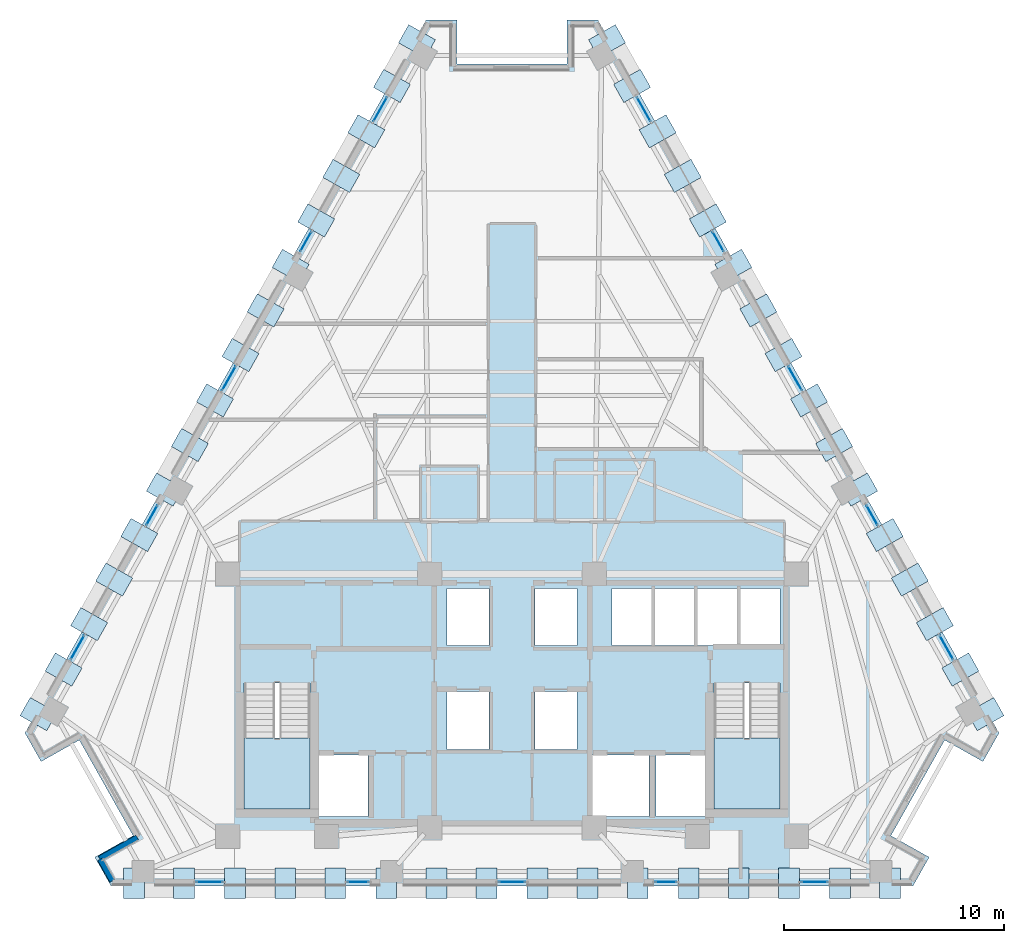
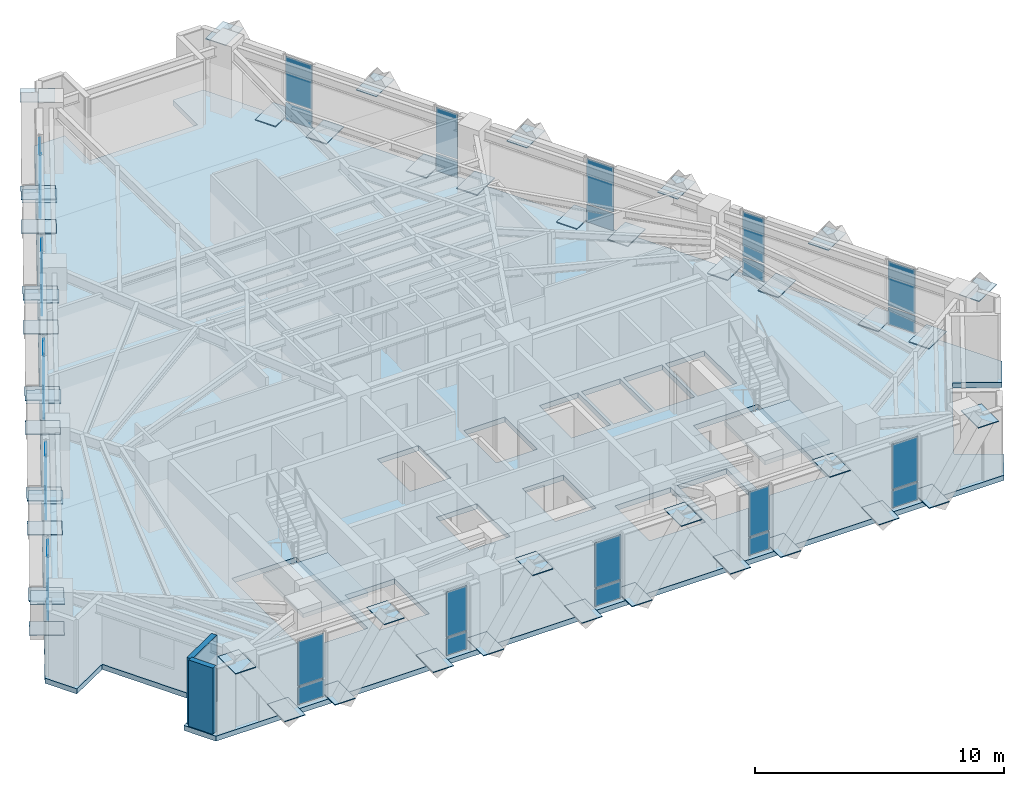
# One storey, part 6 of 13: 78 plates, 3 slabs, 2 walls, 17 elements without a shape of their own.
"""IFC4 building model written with IfcOpenShell, lengths in metres."""

from ifc_helpers import new_model, si_unit, direction, frame, frame_2d, origin, origin_2d, place, context, subcontext, project, spatial, polyline, rectangle, outline, extrude, material, layer, layer_set, type_object, element, aggregate, save


model = new_model("IFC4")

# Units and contexts
model_context = context("Model", 3, precision=1e-05, world=origin(), true_north=direction((0.0, 1.0)))
body_context = subcontext(model_context, "Body", "Model", "MODEL_VIEW")
ifc_project = project(units=[si_unit("LENGTHUNIT", "METRE"), si_unit("AREAUNIT", "SQUARE_METRE"), si_unit("VOLUMEUNIT", "CUBIC_METRE"), si_unit("PLANEANGLEUNIT", "RADIAN"), si_unit("MASSUNIT", "GRAM", prefix="KILO")], contexts=[model_context])

# Site, building, storey
site_placement = place(None, origin())
site = spatial("IfcSite", under=ifc_project, at=site_placement, CompositionType="ELEMENT")
building_placement = place(site_placement, origin())
building = spatial("IfcBuilding", under=site, at=building_placement, Name="Quenlor Broadcast Tower", CompositionType="ELEMENT")
storey_placement = place(building_placement, frame((0.0, 0.0, 137.0)))
storey = spatial("IfcBuildingStorey", under=building, at=storey_placement, Name="L37", CompositionType="ELEMENT", Elevation=137.0)

# Curtain wall, plates
ifc_material_1 = material(Name="Architectural Terracotta and Low-E Glazing", Category="masonry")
curtain_wall_type = type_object("IfcCurtainWallType", Name="Unitised Terracotta Curtain Wall System Z3", PredefinedType="NOTDEFINED", material=ifc_material_1)
curtain_wall_1_placement = place(storey_placement, origin())
curtain_wall_1 = element("IfcCurtainWall", 1, at=curtain_wall_1_placement, inside=storey, type_object=curtain_wall_type, Name="L37 Curtain Wall CW3 (L37-SA-G1)", PredefinedType="NOTDEFINED")
ifc_material_2 = material(Name="Double Glazed Low-E Solar Glass", Category="glass")
ifc_layer_1 = layer(ifc_material_2, 0.028076171875)
ifc_layer_set_1 = layer_set([ifc_layer_1], Name="CW3 Double Glazed Vision Panel 28")
plate_type_1 = type_object("IfcPlateType", Name="CW3 Double Glazed Vision Panel 28", PredefinedType="CURTAIN_PANEL", material=ifc_layer_set_1)
plate_1_placement = place(storey_placement, frame((13.77587890625, -18.824951171875, 0.06982421875), z_axis=(0.0, 0.0, 1.0), x_axis=(-1.0, 0.0, 0.0)))
plate_1 = element("IfcPlate", 2, at=plate_1_placement, type_object=plate_type_1, Name="CW3 panel 1.1", PredefinedType="CURTAIN_PANEL", context=body_context, shape_type="SweptSolid", body=[
    extrude(rectangle(XDim=1.197998046875, YDim=0.028076171875, at=origin_2d()), origin(), (0.0, 0.0, 1.0), 0.844970703125),
])
plate_2_placement = place(storey_placement, frame((13.77587890625, -18.824951171875, 0.98486328125), z_axis=(0.0, 0.0, 1.0), x_axis=(-1.0, 0.0, 0.0)))
plate_2 = element("IfcPlate", 3, at=plate_2_placement, type_object=plate_type_1, Name="CW3 panel 1.2", PredefinedType="CURTAIN_PANEL", context=body_context, shape_type="SweptSolid", body=[
    extrude(rectangle(XDim=1.197998046875, YDim=0.028076171875, at=origin_2d()), origin(), (0.0, 0.0, 1.0), 2.195068359375),
])
aggregate(curtain_wall_1, [plate_1, plate_2])

curtain_wall_2_placement = place(storey_placement, origin())
curtain_wall_2 = element("IfcCurtainWall", 4, at=curtain_wall_2_placement, inside=storey, type_object=curtain_wall_type, Name="L37 Curtain Wall CW3 (L37-SA-G2)", PredefinedType="NOTDEFINED")
plate_3_placement = place(storey_placement, frame((7.011474609375, -18.824951171875, 0.06982421875), z_axis=(0.0, 0.0, 1.0), x_axis=(-1.0, 0.0, 0.0)))
plate_3 = element("IfcPlate", 5, at=plate_3_placement, type_object=plate_type_1, Name="CW3 panel 1.1", PredefinedType="CURTAIN_PANEL", context=body_context, shape_type="SweptSolid", body=[
    extrude(rectangle(XDim=0.950927734375, YDim=0.028076171875, at=origin_2d()), origin(), (0.0, 0.0, 1.0), 0.844970703125),
])
plate_4_placement = place(storey_placement, frame((7.011474609375, -18.824951171875, 0.98486328125), z_axis=(0.0, 0.0, 1.0), x_axis=(-1.0, 0.0, 0.0)))
plate_4 = element("IfcPlate", 6, at=plate_4_placement, type_object=plate_type_1, Name="CW3 panel 1.2", PredefinedType="CURTAIN_PANEL", context=body_context, shape_type="SweptSolid", body=[
    extrude(rectangle(XDim=0.950927734375, YDim=0.028076171875, at=origin_2d()), origin(), (0.0, 0.0, 1.0), 2.195068359375),
])
aggregate(curtain_wall_2, [plate_3, plate_4])

curtain_wall_3_placement = place(storey_placement, origin())
curtain_wall_3 = element("IfcCurtainWall", 7, at=curtain_wall_3_placement, inside=storey, type_object=curtain_wall_type, Name="L37 Curtain Wall CW3 (L37-SC-G1)", PredefinedType="NOTDEFINED")
plate_5_placement = place(storey_placement, frame((-7.011474609375, -18.824951171875, 0.06982421875), z_axis=(0.0, 0.0, 1.0), x_axis=(-1.0, 0.0, 0.0)))
plate_5 = element("IfcPlate", 8, at=plate_5_placement, type_object=plate_type_1, Name="CW3 panel 1.1", PredefinedType="CURTAIN_PANEL", context=body_context, shape_type="SweptSolid", body=[
    extrude(rectangle(XDim=0.950927734375, YDim=0.028076171875, at=origin_2d()), origin(), (0.0, 0.0, 1.0), 0.844970703125),
])
plate_6_placement = place(storey_placement, frame((-7.011474609375, -18.824951171875, 0.98486328125), z_axis=(0.0, 0.0, 1.0), x_axis=(-1.0, 0.0, 0.0)))
plate_6 = element("IfcPlate", 9, at=plate_6_placement, type_object=plate_type_1, Name="CW3 panel 1.2", PredefinedType="CURTAIN_PANEL", context=body_context, shape_type="SweptSolid", body=[
    extrude(rectangle(XDim=0.950927734375, YDim=0.028076171875, at=origin_2d()), origin(), (0.0, 0.0, 1.0), 2.195068359375),
])
aggregate(curtain_wall_3, [plate_5, plate_6])

curtain_wall_4_placement = place(storey_placement, origin())
curtain_wall_4 = element("IfcCurtainWall", 10, at=curtain_wall_4_placement, inside=storey, type_object=curtain_wall_type, Name="L37 Curtain Wall CW3 (L37-SC-G2)", PredefinedType="NOTDEFINED")
plate_7_placement = place(storey_placement, frame((-13.77587890625, -18.824951171875, 0.06982421875), z_axis=(0.0, 0.0, 1.0), x_axis=(-1.0, 0.0, 0.0)))
plate_7 = element("IfcPlate", 11, at=plate_7_placement, type_object=plate_type_1, Name="CW3 panel 1.1", PredefinedType="CURTAIN_PANEL", context=body_context, shape_type="SweptSolid", body=[
    extrude(rectangle(XDim=1.197998046875, YDim=0.028076171875, at=origin_2d()), origin(), (0.0, 0.0, 1.0), 0.844970703125),
])
plate_8_placement = place(storey_placement, frame((-13.77587890625, -18.824951171875, 0.98486328125), z_axis=(0.0, 0.0, 1.0), x_axis=(-1.0, 0.0, 0.0)))
plate_8 = element("IfcPlate", 12, at=plate_8_placement, type_object=plate_type_1, Name="CW3 panel 1.2", PredefinedType="CURTAIN_PANEL", context=body_context, shape_type="SweptSolid", body=[
    extrude(rectangle(XDim=1.197998046875, YDim=0.028076171875, at=origin_2d()), origin(), (0.0, 0.0, 1.0), 2.195068359375),
])
aggregate(curtain_wall_4, [plate_7, plate_8])

curtain_wall_5_placement = place(storey_placement, origin())
curtain_wall_5 = element("IfcCurtainWall", 13, at=curtain_wall_5_placement, inside=storey, type_object=curtain_wall_type, Name="L37 Curtain Wall CW3 (L37-S-G1)", PredefinedType="NOTDEFINED")
plate_9_placement = place(storey_placement, frame((0.0, -18.824951171875, 0.06982421875), z_axis=(0.0, 0.0, 1.0), x_axis=(-1.0, 0.0, 0.0)))
plate_9 = element("IfcPlate", 14, at=plate_9_placement, type_object=plate_type_1, Name="CW3 panel 1.1", PredefinedType="CURTAIN_PANEL", context=body_context, shape_type="SweptSolid", body=[
    extrude(rectangle(XDim=1.197998046875, YDim=0.028076171875, at=origin_2d()), origin(), (0.0, 0.0, 1.0), 0.844970703125),
])
plate_10_placement = place(storey_placement, frame((0.0, -18.824951171875, 0.98486328125), z_axis=(0.0, 0.0, 1.0), x_axis=(-1.0, 0.0, 0.0)))
plate_10 = element("IfcPlate", 15, at=plate_10_placement, type_object=plate_type_1, Name="CW3 panel 1.2", PredefinedType="CURTAIN_PANEL", context=body_context, shape_type="SweptSolid", body=[
    extrude(rectangle(XDim=1.197998046875, YDim=0.028076171875, at=origin_2d()), origin(), (0.0, 0.0, 1.0), 2.195068359375),
])
aggregate(curtain_wall_5, [plate_9, plate_10])

curtain_wall_6_placement = place(storey_placement, origin())
curtain_wall_6 = element("IfcCurtainWall", 16, at=curtain_wall_6_placement, inside=storey, type_object=curtain_wall_type, Name="L37 Curtain Wall CW3 (L37-NEA-G1)", PredefinedType="NOTDEFINED")
plate_11_placement = place(storey_placement, frame((6.00146484375, 16.3740234375, 0.06982421875), z_axis=(0.0, 0.0, 1.0), x_axis=(0.490230492916, -0.871592831439, 0.0)))
plate_11 = element("IfcPlate", 17, at=plate_11_placement, type_object=plate_type_1, Name="CW3 panel 1.1", PredefinedType="CURTAIN_PANEL", context=body_context, shape_type="SweptSolid", body=[
    extrude(rectangle(XDim=1.249755859375, YDim=0.028076171875, at=origin_2d()), origin(), (0.0, 0.0, 1.0), 0.844970703125),
])
plate_12_placement = place(storey_placement, frame((6.00146484375, 16.3740234375, 0.98486328125), z_axis=(0.0, 0.0, 1.0), x_axis=(0.490230492916, -0.871592831439, 0.0)))
plate_12 = element("IfcPlate", 18, at=plate_12_placement, type_object=plate_type_1, Name="CW3 panel 1.2", PredefinedType="CURTAIN_PANEL", context=body_context, shape_type="SweptSolid", body=[
    extrude(rectangle(XDim=1.249755859375, YDim=0.028076171875, at=origin_2d()), origin(), (0.0, 0.0, 1.0), 2.195068359375),
])
aggregate(curtain_wall_6, [plate_11, plate_12])

curtain_wall_7_placement = place(storey_placement, origin())
curtain_wall_7 = element("IfcCurtainWall", 19, at=curtain_wall_7_placement, inside=storey, type_object=curtain_wall_type, Name="L37 Curtain Wall CW3 (L37-NEA-G2)", PredefinedType="NOTDEFINED")
plate_13_placement = place(storey_placement, frame((9.391357421875, 10.34716796875, 0.06982421875), z_axis=(0.0, 0.0, 1.0), x_axis=(0.490215950125, -0.871601010924, 0.0)))
plate_13 = element("IfcPlate", 20, at=plate_13_placement, type_object=plate_type_1, Name="CW3 panel 1.1", PredefinedType="CURTAIN_PANEL", context=body_context, shape_type="SweptSolid", body=[
    extrude(rectangle(XDim=1.01318359375, YDim=0.028076171875, at=origin_2d()), origin(), (0.0, 0.0, 1.0), 0.844970703125),
])
plate_14_placement = place(storey_placement, frame((9.391357421875, 10.34716796875, 0.98486328125), z_axis=(0.0, 0.0, 1.0), x_axis=(0.490215950125, -0.871601010924, 0.0)))
plate_14 = element("IfcPlate", 21, at=plate_14_placement, type_object=plate_type_1, Name="CW3 panel 1.2", PredefinedType="CURTAIN_PANEL", context=body_context, shape_type="SweptSolid", body=[
    extrude(rectangle(XDim=1.01318359375, YDim=0.028076171875, at=origin_2d()), origin(), (0.0, 0.0, 1.0), 2.195068359375),
])
aggregate(curtain_wall_7, [plate_13, plate_14])

curtain_wall_8_placement = place(storey_placement, origin())
curtain_wall_8 = element("IfcCurtainWall", 22, at=curtain_wall_8_placement, inside=storey, type_object=curtain_wall_type, Name="L37 Curtain Wall CW3 (L37-NEC-G1)", PredefinedType="NOTDEFINED")
plate_15_placement = place(storey_placement, frame((16.403564453125, -2.118896484375, 0.06982421875), z_axis=(0.0, 0.0, 1.0), x_axis=(0.490253004657, -0.871580169247, 0.0)))
plate_15 = element("IfcPlate", 23, at=plate_15_placement, type_object=plate_type_1, Name="CW3 panel 1.1", PredefinedType="CURTAIN_PANEL", context=body_context, shape_type="SweptSolid", body=[
    extrude(rectangle(XDim=1.01318359375, YDim=0.028076171875, at=origin_2d()), origin(), (0.0, 0.0, 1.0), 0.844970703125),
])
plate_16_placement = place(storey_placement, frame((16.403564453125, -2.118896484375, 0.98486328125), z_axis=(0.0, 0.0, 1.0), x_axis=(0.490253004657, -0.871580169247, 0.0)))
plate_16 = element("IfcPlate", 24, at=plate_16_placement, type_object=plate_type_1, Name="CW3 panel 1.2", PredefinedType="CURTAIN_PANEL", context=body_context, shape_type="SweptSolid", body=[
    extrude(rectangle(XDim=1.01318359375, YDim=0.028076171875, at=origin_2d()), origin(), (0.0, 0.0, 1.0), 2.195068359375),
])
aggregate(curtain_wall_8, [plate_15, plate_16])

curtain_wall_9_placement = place(storey_placement, origin())
curtain_wall_9 = element("IfcCurtainWall", 25, at=curtain_wall_9_placement, inside=storey, type_object=curtain_wall_type, Name="L37 Curtain Wall CW3 (L37-NEC-G2)", PredefinedType="NOTDEFINED")
plate_17_placement = place(storey_placement, frame((19.793701171875, -8.145751953125, 0.06982421875), z_axis=(0.0, 0.0, 1.0), x_axis=(0.490261239636, -0.871575537123, 0.0)))
plate_17 = element("IfcPlate", 26, at=plate_17_placement, type_object=plate_type_1, Name="CW3 panel 1.1", PredefinedType="CURTAIN_PANEL", context=body_context, shape_type="SweptSolid", body=[
    extrude(rectangle(XDim=1.249755859375, YDim=0.028076171875, at=origin_2d()), origin(), (0.0, 0.0, 1.0), 0.844970703125),
])
plate_18_placement = place(storey_placement, frame((19.793701171875, -8.145751953125, 0.98486328125), z_axis=(0.0, 0.0, 1.0), x_axis=(0.490261239636, -0.871575537123, 0.0)))
plate_18 = element("IfcPlate", 27, at=plate_18_placement, type_object=plate_type_1, Name="CW3 panel 1.2", PredefinedType="CURTAIN_PANEL", context=body_context, shape_type="SweptSolid", body=[
    extrude(rectangle(XDim=1.249755859375, YDim=0.028076171875, at=origin_2d()), origin(), (0.0, 0.0, 1.0), 2.195068359375),
])
aggregate(curtain_wall_9, [plate_17, plate_18])

curtain_wall_10_placement = place(storey_placement, origin())
curtain_wall_10 = element("IfcCurtainWall", 28, at=curtain_wall_10_placement, inside=storey, type_object=curtain_wall_type, Name="L37 Curtain Wall CW3 (L37-NE-G1)", PredefinedType="NOTDEFINED")
plate_19_placement = place(storey_placement, frame((12.8974609375, 4.1142578125, 0.06982421875), z_axis=(0.0, 0.0, 1.0), x_axis=(0.490285152484, -0.871562085714, 0.0)))
plate_19 = element("IfcPlate", 29, at=plate_19_placement, type_object=plate_type_1, Name="CW3 panel 1.1", PredefinedType="CURTAIN_PANEL", context=body_context, shape_type="SweptSolid", body=[
    extrude(rectangle(XDim=1.249755859375, YDim=0.028076171875, at=origin_2d()), origin(), (0.0, 0.0, 1.0), 0.844970703125),
])
plate_20_placement = place(storey_placement, frame((12.8974609375, 4.1142578125, 0.98486328125), z_axis=(0.0, 0.0, 1.0), x_axis=(0.490285152484, -0.871562085714, 0.0)))
plate_20 = element("IfcPlate", 30, at=plate_20_placement, type_object=plate_type_1, Name="CW3 panel 1.2", PredefinedType="CURTAIN_PANEL", context=body_context, shape_type="SweptSolid", body=[
    extrude(rectangle(XDim=1.249755859375, YDim=0.028076171875, at=origin_2d()), origin(), (0.0, 0.0, 1.0), 2.195068359375),
])
aggregate(curtain_wall_10, [plate_19, plate_20])

curtain_wall_11_placement = place(storey_placement, origin())
curtain_wall_11 = element("IfcCurtainWall", 31, at=curtain_wall_11_placement, inside=storey, type_object=curtain_wall_type, Name="L37 Curtain Wall CW3 (L37-NWA-G1)", PredefinedType="NOTDEFINED")
plate_21_placement = place(storey_placement, frame((-19.793701171875, -8.145751953125, 0.06982421875), z_axis=(0.0, 0.0, 1.0), x_axis=(0.490261239636, 0.871575537123, 0.0)))
plate_21 = element("IfcPlate", 32, at=plate_21_placement, type_object=plate_type_1, Name="CW3 panel 1.1", PredefinedType="CURTAIN_PANEL", context=body_context, shape_type="SweptSolid", body=[
    extrude(rectangle(XDim=1.249755859375, YDim=0.028076171875, at=origin_2d()), origin(), (0.0, 0.0, 1.0), 0.844970703125),
])
plate_22_placement = place(storey_placement, frame((-19.793701171875, -8.145751953125, 0.98486328125), z_axis=(0.0, 0.0, 1.0), x_axis=(0.490261239636, 0.871575537123, 0.0)))
plate_22 = element("IfcPlate", 33, at=plate_22_placement, type_object=plate_type_1, Name="CW3 panel 1.2", PredefinedType="CURTAIN_PANEL", context=body_context, shape_type="SweptSolid", body=[
    extrude(rectangle(XDim=1.249755859375, YDim=0.028076171875, at=origin_2d()), origin(), (0.0, 0.0, 1.0), 2.195068359375),
])
aggregate(curtain_wall_11, [plate_21, plate_22])

curtain_wall_12_placement = place(storey_placement, origin())
curtain_wall_12 = element("IfcCurtainWall", 34, at=curtain_wall_12_placement, inside=storey, type_object=curtain_wall_type, Name="L37 Curtain Wall CW3 (L37-NWA-G2)", PredefinedType="NOTDEFINED")
plate_23_placement = place(storey_placement, frame((-16.403564453125, -2.118896484375, 0.06982421875), z_axis=(0.0, 0.0, 1.0), x_axis=(0.490253004657, 0.871580169247, 0.0)))
plate_23 = element("IfcPlate", 35, at=plate_23_placement, type_object=plate_type_1, Name="CW3 panel 1.1", PredefinedType="CURTAIN_PANEL", context=body_context, shape_type="SweptSolid", body=[
    extrude(rectangle(XDim=1.01318359375, YDim=0.028076171875, at=origin_2d()), origin(), (0.0, 0.0, 1.0), 0.844970703125),
])
plate_24_placement = place(storey_placement, frame((-16.403564453125, -2.118896484375, 0.98486328125), z_axis=(0.0, 0.0, 1.0), x_axis=(0.490253004657, 0.871580169247, 0.0)))
plate_24 = element("IfcPlate", 36, at=plate_24_placement, type_object=plate_type_1, Name="CW3 panel 1.2", PredefinedType="CURTAIN_PANEL", context=body_context, shape_type="SweptSolid", body=[
    extrude(rectangle(XDim=1.01318359375, YDim=0.028076171875, at=origin_2d()), origin(), (0.0, 0.0, 1.0), 2.195068359375),
])
aggregate(curtain_wall_12, [plate_23, plate_24])

curtain_wall_13_placement = place(storey_placement, origin())
curtain_wall_13 = element("IfcCurtainWall", 37, at=curtain_wall_13_placement, inside=storey, type_object=curtain_wall_type, Name="L37 Curtain Wall CW3 (L37-NWC-G1)", PredefinedType="NOTDEFINED")
plate_25_placement = place(storey_placement, frame((-9.391357421875, 10.34716796875, 0.06982421875), z_axis=(0.0, 0.0, 1.0), x_axis=(0.490215950125, 0.871601010924, 0.0)))
plate_25 = element("IfcPlate", 38, at=plate_25_placement, type_object=plate_type_1, Name="CW3 panel 1.1", PredefinedType="CURTAIN_PANEL", context=body_context, shape_type="SweptSolid", body=[
    extrude(rectangle(XDim=1.01318359375, YDim=0.028076171875, at=origin_2d()), origin(), (0.0, 0.0, 1.0), 0.844970703125),
])
plate_26_placement = place(storey_placement, frame((-9.391357421875, 10.34716796875, 0.98486328125), z_axis=(0.0, 0.0, 1.0), x_axis=(0.490215950125, 0.871601010924, 0.0)))
plate_26 = element("IfcPlate", 39, at=plate_26_placement, type_object=plate_type_1, Name="CW3 panel 1.2", PredefinedType="CURTAIN_PANEL", context=body_context, shape_type="SweptSolid", body=[
    extrude(rectangle(XDim=1.01318359375, YDim=0.028076171875, at=origin_2d()), origin(), (0.0, 0.0, 1.0), 2.195068359375),
])
aggregate(curtain_wall_13, [plate_25, plate_26])

curtain_wall_14_placement = place(storey_placement, origin())
curtain_wall_14 = element("IfcCurtainWall", 40, at=curtain_wall_14_placement, inside=storey, type_object=curtain_wall_type, Name="L37 Curtain Wall CW3 (L37-NWC-G2)", PredefinedType="NOTDEFINED")
plate_27_placement = place(storey_placement, frame((-6.00146484375, 16.3740234375, 0.06982421875), z_axis=(0.0, 0.0, 1.0), x_axis=(0.490230492916, 0.871592831439, 0.0)))
plate_27 = element("IfcPlate", 41, at=plate_27_placement, type_object=plate_type_1, Name="CW3 panel 1.1", PredefinedType="CURTAIN_PANEL", context=body_context, shape_type="SweptSolid", body=[
    extrude(rectangle(XDim=1.249755859375, YDim=0.028076171875, at=origin_2d()), origin(), (0.0, 0.0, 1.0), 0.844970703125),
])
plate_28_placement = place(storey_placement, frame((-6.00146484375, 16.3740234375, 0.98486328125), z_axis=(0.0, 0.0, 1.0), x_axis=(0.490230492916, 0.871592831439, 0.0)))
plate_28 = element("IfcPlate", 42, at=plate_28_placement, type_object=plate_type_1, Name="CW3 panel 1.2", PredefinedType="CURTAIN_PANEL", context=body_context, shape_type="SweptSolid", body=[
    extrude(rectangle(XDim=1.249755859375, YDim=0.028076171875, at=origin_2d()), origin(), (0.0, 0.0, 1.0), 2.195068359375),
])
aggregate(curtain_wall_14, [plate_27, plate_28])

curtain_wall_15_placement = place(storey_placement, origin())
curtain_wall_15 = element("IfcCurtainWall", 43, at=curtain_wall_15_placement, inside=storey, type_object=curtain_wall_type, Name="L37 Curtain Wall CW3 (L37-NW-G1)", PredefinedType="NOTDEFINED")
plate_29_placement = place(storey_placement, frame((-12.8974609375, 4.1142578125, 0.06982421875), z_axis=(0.0, 0.0, 1.0), x_axis=(0.490285152484, 0.871562085714, 0.0)))
plate_29 = element("IfcPlate", 44, at=plate_29_placement, type_object=plate_type_1, Name="CW3 panel 1.1", PredefinedType="CURTAIN_PANEL", context=body_context, shape_type="SweptSolid", body=[
    extrude(rectangle(XDim=1.249755859375, YDim=0.028076171875, at=origin_2d()), origin(), (0.0, 0.0, 1.0), 0.844970703125),
])
plate_30_placement = place(storey_placement, frame((-12.8974609375, 4.1142578125, 0.98486328125), z_axis=(0.0, 0.0, 1.0), x_axis=(0.490285152484, 0.871562085714, 0.0)))
plate_30 = element("IfcPlate", 45, at=plate_30_placement, type_object=plate_type_1, Name="CW3 panel 1.2", PredefinedType="CURTAIN_PANEL", context=body_context, shape_type="SweptSolid", body=[
    extrude(rectangle(XDim=1.249755859375, YDim=0.028076171875, at=origin_2d()), origin(), (0.0, 0.0, 1.0), 2.195068359375),
])
aggregate(curtain_wall_15, [plate_29, plate_30])

# Stair, slab
ifc_material_3 = material(Name="Precast concrete C40/50", Category="concrete")
stair_type = type_object("IfcStairType", Name="Precast Concrete C40/50 Dogleg Stair H350", PredefinedType="HALF_TURN_STAIR", material=ifc_material_3)
stair_1_placement = place(storey_placement, origin())
stair_1 = element("IfcStair", 46, at=stair_1_placement, inside=storey, type_object=stair_type, Name="L37 West Core Fire-Isolated Exit Stair ST-1", PredefinedType="HALF_TURN_STAIR")
ifc_material_4 = material(Name="Precast concrete C40/50", Category="concrete")
ifc_layer_2 = layer(ifc_material_4, 0.199951171875)
ifc_layer_set_2 = layer_set([ifc_layer_2], Name="Precast Concrete C40/50 Stair Landing Slab 200")
slab_type_1 = type_object("IfcSlabType", Name="Precast Concrete C40/50 Stair Landing Slab 200", PredefinedType="LANDING", material=ifc_layer_set_2)
slab_1_placement = place(storey_placement, frame((0.0, 0.0, 1.550048828125)))
slab_1 = element("IfcSlab", 47, at=slab_1_placement, type_object=slab_type_1, Name="ST-1 landing 1", PredefinedType="LANDING", context=body_context, shape_type="SweptSolid", body=[
    extrude(outline(polyline([(-12.199951171875, -12.27001953125), (-12.199951171875, -15.5), (-9.199951171875, -15.5), (-9.199951171875, -12.27001953125), (-12.199951171875, -12.27001953125)])), origin(), (0.0, 0.0, 1.0), 0.199951171875),
])
aggregate(stair_1, [slab_1])

stair_2_placement = place(storey_placement, origin())
stair_2 = element("IfcStair", 48, at=stair_2_placement, inside=storey, type_object=stair_type, Name="L37 East Core Fire-Isolated Exit Stair ST-2", PredefinedType="HALF_TURN_STAIR")
slab_2_placement = place(storey_placement, frame((0.0, 0.0, 1.550048828125)))
slab_2 = element("IfcSlab", 49, at=slab_2_placement, type_object=slab_type_1, Name="ST-2 landing 1", PredefinedType="LANDING", context=body_context, shape_type="SweptSolid", body=[
    extrude(outline(polyline([(9.199951171875, -12.27001953125), (9.199951171875, -15.5), (12.199951171875, -15.5), (12.199951171875, -12.27001953125), (9.199951171875, -12.27001953125)])), origin(), (0.0, 0.0, 1.0), 0.199951171875),
])
aggregate(stair_2, [slab_2])

# Slab
ifc_material_5 = material(Name="Concrete C40/50", Category="concrete")
ifc_layer_3 = layer(ifc_material_5, 0.25)
ifc_layer_set_3 = layer_set([ifc_layer_3], Name="Tower Composite Concrete C40/50 Slab 250")
slab_type_2 = type_object("IfcSlabType", Name="Tower Composite Concrete C40/50 Slab 250", PredefinedType="FLOOR", material=ifc_layer_set_3)
slab_3_placement = place(storey_placement, frame((0.0, 0.0, -0.25)))
element("IfcSlab", 50, at=slab_3_placement, inside=storey, type_object=slab_type_2, Name="L37 Structural Floor Slab", PredefinedType="FLOOR", context=body_context, shape_type="SweptSolid", body=[
    extrude(outline(polyline([(18.27001953125, -19.0), (19.001708984375, -17.698974609375), (17.2587890625, -16.718505859375), (19.7099609375, -12.360595703125), (21.453125, -13.341064453125), (22.18505859375, -12.0400390625), (3.9150390625, 20.43994140625), (2.5, 20.43994140625), (2.5, 18.43994140625), (-2.5, 18.43994140625), (-2.5, 20.43994140625), (-3.9150390625, 20.43994140625), (-22.18505859375, -12.0400390625), (-21.453125, -13.341064453125), (-19.7099609375, -12.360595703125), (-17.2587890625, -16.718505859375), (-19.001708984375, -17.698974609375), (-18.27001953125, -19.0), (18.27001953125, -19.0)]), holes=[polyline([(-12.199951171875, -9.758056640625), (-12.199951171875, -15.5), (-9.199951171875, -15.5), (-9.199951171875, -9.758056640625), (-12.199951171875, -9.758056640625)]), polyline([(9.199951171875, -9.758056640625), (9.199951171875, -15.5), (12.199951171875, -15.5), (12.199951171875, -9.758056640625), (9.199951171875, -9.758056640625)]), polyline([(-2.949951171875, -8.050048828125), (-1.050048828125, -8.050048828125), (-1.050048828125, -5.449951171875), (-2.949951171875, -5.449951171875), (-2.949951171875, -8.050048828125)]), polyline([(1.050048828125, -8.050048828125), (2.949951171875, -8.050048828125), (2.949951171875, -5.449951171875), (1.050048828125, -5.449951171875), (1.050048828125, -8.050048828125)]), polyline([(-2.949951171875, -12.800048828125), (-1.050048828125, -12.800048828125), (-1.050048828125, -10.14990234375), (-2.949951171875, -10.14990234375), (-2.949951171875, -12.800048828125)]), polyline([(1.050048828125, -12.800048828125), (2.949951171875, -12.800048828125), (2.949951171875, -10.14990234375), (1.050048828125, -10.14990234375), (1.050048828125, -12.800048828125)]), polyline([(4.550048828125, -8.050048828125), (6.35009765625, -8.050048828125), (6.35009765625, -5.449951171875), (4.550048828125, -5.449951171875), (4.550048828125, -8.050048828125)]), polyline([(6.5, -8.050048828125), (8.300048828125, -8.050048828125), (8.300048828125, -5.449951171875), (6.5, -5.449951171875), (6.5, -8.050048828125)]), polyline([(8.449951171875, -8.050048828125), (10.25, -8.050048828125), (10.25, -5.449951171875), (8.449951171875, -5.449951171875), (8.449951171875, -8.050048828125)]), polyline([(10.39990234375, -8.050048828125), (12.199951171875, -8.050048828125), (12.199951171875, -5.449951171875), (10.39990234375, -5.449951171875), (10.39990234375, -8.050048828125)]), polyline([(-8.85009765625, -15.85009765625), (-6.550048828125, -15.85009765625), (-6.550048828125, -13.050048828125), (-8.85009765625, -13.050048828125), (-8.85009765625, -15.85009765625)]), polyline([(6.550048828125, -15.85009765625), (8.85009765625, -15.85009765625), (8.85009765625, -13.050048828125), (6.550048828125, -13.050048828125), (6.550048828125, -15.85009765625)]), polyline([(3.64990234375, -15.85009765625), (6.25, -15.85009765625), (6.25, -13.050048828125), (3.64990234375, -13.050048828125), (3.64990234375, -15.85009765625)])]), origin(), (0.0, 0.0, 1.0), 0.25),
])

# Plates
ifc_material_6 = material(Name="Steel S355", Category="steel")
ifc_layer_4 = layer(ifc_material_6, 0.035888671875)
ifc_layer_set_4 = layer_set([ifc_layer_4], Name="Transfer Truss Steel S355 Gusset Node Plate 1400x950x36")
plate_type_2 = type_object("IfcPlateType", Name="Transfer Truss Steel S355 Gusset Node Plate 1400x950x36", PredefinedType="SHEET", material=ifc_layer_set_4)
for number, where, z_axis, x_axis, name in (
    (51, (12.6142578125, -18.885009765625, 0.0419921875), (0.0, 0.0, 1.0), (0.0, -1.0, 0.0), "L37 Lattice Tie Gusset Node S-B2"),
    (52, (10.33203125, -18.885009765625, 3.18212890625), (0.0, 0.0, 1.0), (0.0, -1.0, 0.0), "L37 Lattice Tie Gusset Node S-T3"),
    (53, (14.937744140625, -18.885009765625, 0.0419921875), (0.0, 0.0, 1.0), (0.0, -1.0, 0.0), "L37 Lattice Tie Gusset Node S-B1"),
    (54, (17.219970703125, -18.885009765625, 3.18212890625), (0.0, 0.0, 1.0), (0.0, -1.0, 0.0), "L37 Lattice Tie Gusset Node S-T0"),
    (55, (5.726318359375, -18.885009765625, 0.0419921875), (0.0, 0.0, 1.0), (0.0, -1.0, 0.0), "L37 Lattice Tie Gusset Node S-B5"),
    (56, (3.444091796875, -18.885009765625, 3.18212890625), (0.0, 0.0, 1.0), (0.0, -1.0, 0.0), "L37 Lattice Tie Gusset Node S-T6"),
    (57, (8.0498046875, -18.885009765625, 0.0419921875), (0.0, 0.0, 1.0), (0.0, -1.0, 0.0), "L37 Lattice Tie Gusset Node S-B4"),
    (58, (-1.161865234375, -18.885009765625, 0.0419921875), (0.0, 0.0, 1.0), (0.0, -1.0, 0.0), "L37 Lattice Tie Gusset Node S-B8"),
    (59, (-3.444091796875, -18.885009765625, 3.18212890625), (0.0, 0.0, 1.0), (0.0, -1.0, 0.0), "L37 Lattice Tie Gusset Node S-T9"),
    (60, (1.161865234375, -18.885009765625, 0.0419921875), (0.0, 0.0, 1.0), (0.0, -1.0, 0.0), "L37 Lattice Tie Gusset Node S-B7"),
    (61, (-8.0498046875, -18.885009765625, 0.0419921875), (0.0, 0.0, 1.0), (0.0, -1.0, 0.0), "L37 Lattice Tie Gusset Node S-B11"),
    (62, (-10.33203125, -18.885009765625, 3.18212890625), (0.0, 0.0, 1.0), (0.0, -1.0, 0.0), "L37 Lattice Tie Gusset Node S-T12"),
    (63, (-5.726318359375, -18.885009765625, 0.0419921875), (0.0, 0.0, 1.0), (0.0, -1.0, 0.0), "L37 Lattice Tie Gusset Node S-B10"),
    (64, (-14.937744140625, -18.885009765625, 0.0419921875), (0.0, 0.0, 1.0), (0.0, -1.0, 0.0), "L37 Lattice Tie Gusset Node S-B14"),
    (65, (-17.219970703125, -18.885009765625, 3.18212890625), (0.0, 0.0, 1.0), (0.0, -1.0, 0.0), "L37 Lattice Tie Gusset Node S-T15"),
    (66, (-12.6142578125, -18.885009765625, 0.0419921875), (0.0, 0.0, 1.0), (0.0, -1.0, 0.0), "L37 Lattice Tie Gusset Node S-B13"),
    (67, (6.63525390625, 15.36962890625, 0.0419921875), (0.0, 0.0, 1.0), (0.871556314255, 0.490295412055, 0.0), "L37 Lattice Tie Gusset Node NE-B2"),
    (68, (7.777587890625, 13.33837890625, 3.18212890625), (0.0, 0.0, 1.0), (0.871556314255, 0.490295412055, 0.0), "L37 Lattice Tie Gusset Node NE-T3"),
    (69, (5.471923828125, 17.4375, 0.0419921875), (0.0, 0.0, 1.0), (0.871556314255, 0.490295412055, 0.0), "L37 Lattice Tie Gusset Node NE-B1"),
    (70, (4.32958984375, 19.468505859375, 3.18212890625), (0.0, 0.0, 1.0), (0.871556314255, 0.490295412055, 0.0), "L37 Lattice Tie Gusset Node NE-T0"),
    (71, (10.083251953125, 9.239501953125, 0.0419921875), (0.0, 0.0, 1.0), (0.871556314255, 0.490295412055, 0.0), "L37 Lattice Tie Gusset Node NE-B5"),
    (72, (11.2255859375, 7.20849609375, 3.18212890625), (0.0, 0.0, 1.0), (0.871556314255, 0.490295412055, 0.0), "L37 Lattice Tie Gusset Node NE-T6"),
    (73, (8.920166015625, 11.3076171875, 0.0419921875), (0.0, 0.0, 1.0), (0.871556314255, 0.490295412055, 0.0), "L37 Lattice Tie Gusset Node NE-B4"),
    (74, (13.531494140625, 3.109619140625, 0.0419921875), (0.0, 0.0, 1.0), (0.871556314255, 0.490295412055, 0.0), "L37 Lattice Tie Gusset Node NE-B8"),
    (75, (14.673828125, 1.07861328125, 3.18212890625), (0.0, 0.0, 1.0), (0.871556314255, 0.490295412055, 0.0), "L37 Lattice Tie Gusset Node NE-T9"),
    (76, (12.3681640625, 5.177490234375, 0.0419921875), (0.0, 0.0, 1.0), (0.871556314255, 0.490295412055, 0.0), "L37 Lattice Tie Gusset Node NE-B7"),
    (77, (16.9794921875, -3.020263671875, 0.0419921875), (0.0, 0.0, 1.0), (0.871556314255, 0.490295412055, 0.0), "L37 Lattice Tie Gusset Node NE-B11"),
    (78, (18.121826171875, -5.05126953125, 3.18212890625), (0.0, 0.0, 1.0), (0.871556314255, 0.490295412055, 0.0), "L37 Lattice Tie Gusset Node NE-T12"),
    (79, (15.81640625, -0.952392578125, 0.0419921875), (0.0, 0.0, 1.0), (0.871556314255, 0.490295412055, 0.0), "L37 Lattice Tie Gusset Node NE-B10"),
    (80, (20.427490234375, -9.150146484375, 0.0419921875), (0.0, 0.0, 1.0), (0.871556314255, 0.490295412055, 0.0), "L37 Lattice Tie Gusset Node NE-B14"),
    (81, (21.570068359375, -11.18115234375, 3.18212890625), (0.0, 0.0, 1.0), (0.871556314255, 0.490295412055, 0.0), "L37 Lattice Tie Gusset Node NE-T15"),
    (82, (19.264404296875, -7.082275390625, 0.0419921875), (0.0, 0.0, 1.0), (0.871556314255, 0.490295412055, 0.0), "L37 Lattice Tie Gusset Node NE-B13"),
    (83, (-19.264404296875, -7.082275390625, 0.0419921875), (0.0, 0.0, 1.0), (-0.871556314255, 0.490295412055, 0.0), "L37 Lattice Tie Gusset Node NW-B2"),
    (84, (-18.121826171875, -5.05126953125, 3.18212890625), (0.0, 0.0, 1.0), (-0.871556314255, 0.490295412055, 0.0), "L37 Lattice Tie Gusset Node NW-T3"),
    (85, (-20.427490234375, -9.150146484375, 0.0419921875), (0.0, 0.0, 1.0), (-0.871556314255, 0.490295412055, 0.0), "L37 Lattice Tie Gusset Node NW-B1"),
    (86, (-21.570068359375, -11.18115234375, 3.18212890625), (0.0, 0.0, 1.0), (-0.871556314255, 0.490295412055, 0.0), "L37 Lattice Tie Gusset Node NW-T0"),
    (87, (-15.81640625, -0.952392578125, 0.0419921875), (0.0, 0.0, 1.0), (-0.871556314255, 0.490295412055, 0.0), "L37 Lattice Tie Gusset Node NW-B5"),
    (88, (-14.673828125, 1.07861328125, 3.18212890625), (0.0, 0.0, 1.0), (-0.871556314255, 0.490295412055, 0.0), "L37 Lattice Tie Gusset Node NW-T6"),
    (89, (-16.9794921875, -3.020263671875, 0.0419921875), (0.0, 0.0, 1.0), (-0.871556314255, 0.490295412055, 0.0), "L37 Lattice Tie Gusset Node NW-B4"),
    (90, (-12.3681640625, 5.177490234375, 0.0419921875), (0.0, 0.0, 1.0), (-0.871556314255, 0.490295412055, 0.0), "L37 Lattice Tie Gusset Node NW-B8"),
    (91, (-11.2255859375, 7.20849609375, 3.18212890625), (0.0, 0.0, 1.0), (-0.871556314255, 0.490295412055, 0.0), "L37 Lattice Tie Gusset Node NW-T9"),
    (92, (-13.531494140625, 3.109619140625, 0.0419921875), (0.0, 0.0, 1.0), (-0.871556314255, 0.490295412055, 0.0), "L37 Lattice Tie Gusset Node NW-B7"),
    (93, (-8.920166015625, 11.3076171875, 0.0419921875), (0.0, 0.0, 1.0), (-0.871556314255, 0.490295412055, 0.0), "L37 Lattice Tie Gusset Node NW-B11"),
    (94, (-7.777587890625, 13.33837890625, 3.18212890625), (0.0, 0.0, 1.0), (-0.871556314255, 0.490295412055, 0.0), "L37 Lattice Tie Gusset Node NW-T12"),
    (95, (-10.083251953125, 9.239501953125, 0.0419921875), (0.0, 0.0, 1.0), (-0.871556314255, 0.490295412055, 0.0), "L37 Lattice Tie Gusset Node NW-B10"),
    (96, (-5.471923828125, 17.4375, 0.0419921875), (0.0, 0.0, 1.0), (-0.871556314255, 0.490295412055, 0.0), "L37 Lattice Tie Gusset Node NW-B14"),
    (97, (-4.32958984375, 19.468505859375, 3.18212890625), (0.0, 0.0, 1.0), (-0.871556314255, 0.490295412055, 0.0), "L37 Lattice Tie Gusset Node NW-T15"),
    (98, (-6.63525390625, 15.36962890625, 0.0419921875), (0.0, 0.0, 1.0), (-0.871556314255, 0.490295412055, 0.0), "L37 Lattice Tie Gusset Node NW-B13"),
):
    element("IfcPlate", number, at=place(storey_placement, frame(where, z_axis=z_axis, x_axis=x_axis)), inside=storey, type_object=plate_type_2, Name=name, PredefinedType="SHEET", context=body_context, shape_type="SweptSolid", body=[
        extrude(rectangle(XDim=1.39990234375, YDim=0.949951171875, at=origin_2d()), origin(), (0.0, 0.0, 1.0), 0.035888671875),
    ])

# Walls
ifc_material_7 = material(Name="Precast concrete C40/50", Category="concrete")
ifc_layer_5 = layer(ifc_material_7, 0.239990234375)
ifc_layer_set_5 = layer_set([ifc_layer_5], Name="Terrace Threshold Precast Concrete C40/50 Wall 240")
wall_type = type_object("IfcWallType", Name="Terrace Threshold Precast Concrete C40/50 Wall 240", PredefinedType="STANDARD", material=ifc_layer_set_5)
wall_1_placement = place(storey_placement, frame((-17.07568359375, -16.799072265625, 0.0), z_axis=(0.0, 0.0, 1.0), x_axis=(-0.871565557139, -0.490278981406, 0.0)))
element("IfcWall", 99, at=wall_1_placement, inside=storey, type_object=wall_type, Name="L37 Exterior Wall L37-CNR-15", PredefinedType="STANDARD", context=body_context, shape_type="SweptSolid", body=[
    extrude(rectangle(XDim=1.9599609375, YDim=0.239990234375, at=frame_2d((0.97998046875, 0.0))), origin(), (0.0, 0.0, 1.0), 3.25),
])
wall_2_placement = place(storey_placement, frame((-18.764404296875, -17.794921875, 0.0), z_axis=(0.0, 0.0, 1.0), x_axis=(0.490353621339, -0.871523565969, 0.0)))
element("IfcWall", 100, at=wall_2_placement, inside=storey, type_object=wall_type, Name="L37 Exterior Wall L37-CNR-16", PredefinedType="STANDARD", context=body_context, shape_type="SweptSolid", body=[
    extrude(rectangle(XDim=1.129150390625, YDim=0.239990234375, at=frame_2d((0.564453125, 0.0))), origin(), (0.0, 0.0, 1.0), 3.25),
])

save(model, "model.ifc")
